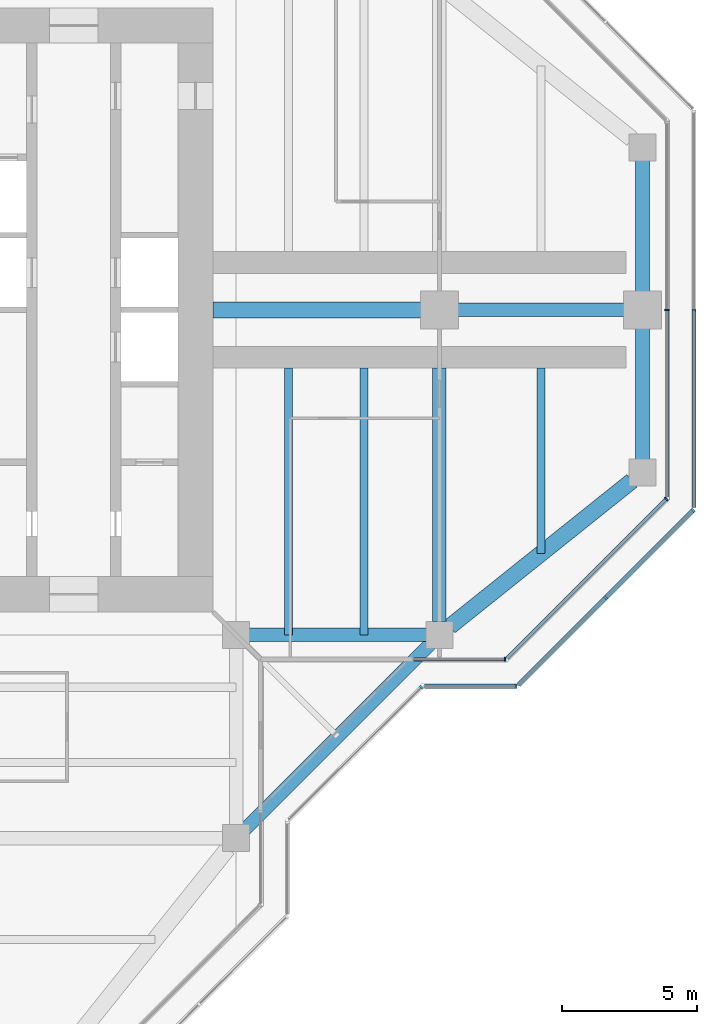
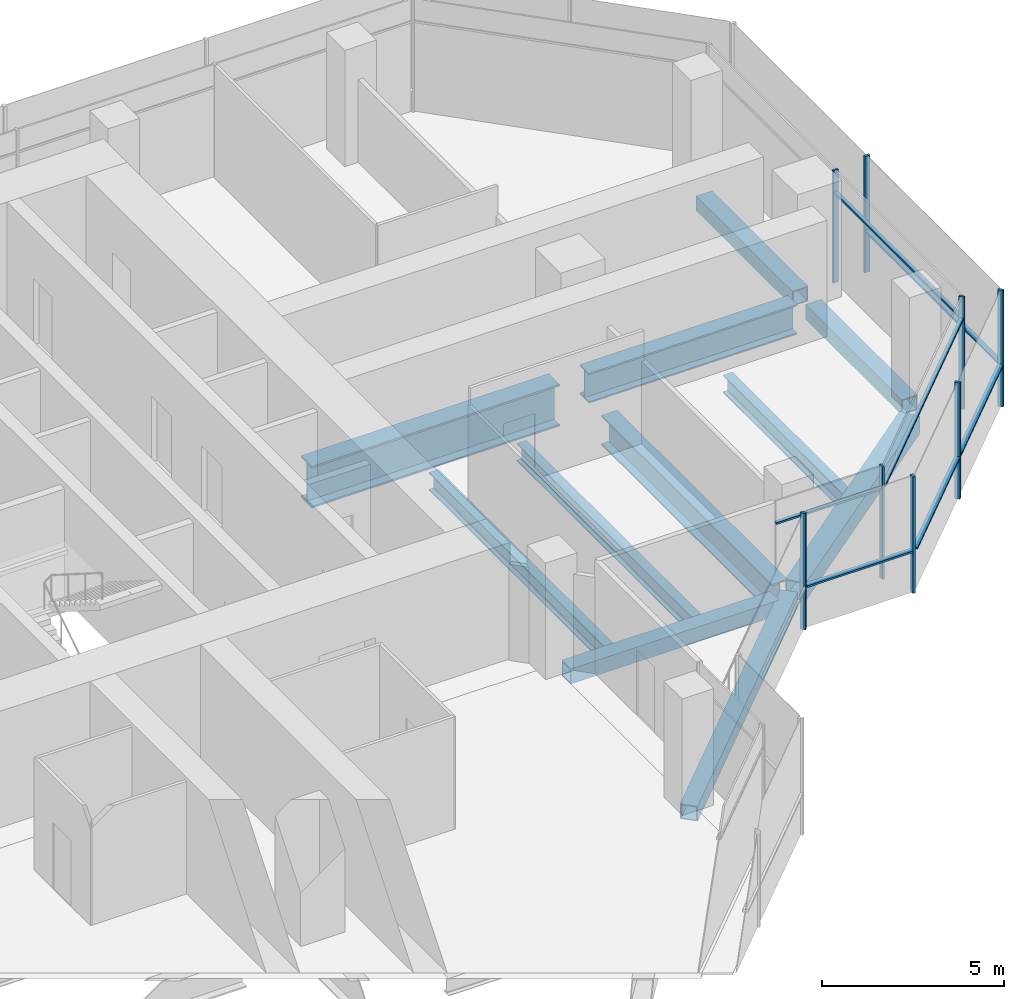
# One storey, part 5 of 15: 15 members, 11 beams, 7 elements without a shape of their own.
"""IFC4 building model written with IfcOpenShell, lengths in metres."""

from ifc_helpers import new_model, si_unit, direction, frame, origin, origin_2d, place, context, subcontext, project, spatial, rectangle, hollow_rectangle, i_section, extrude, material, material_profile, profile_set, type_object, element, aggregate, save


model = new_model("IFC4")

# Units and contexts
model_context = context("Model", 3, precision=1e-05, world=origin(), true_north=direction((0.0, 1.0)))
body_context = subcontext(model_context, "Body", "Model", "MODEL_VIEW")
ifc_project = project(units=[si_unit("LENGTHUNIT", "METRE"), si_unit("AREAUNIT", "SQUARE_METRE"), si_unit("VOLUMEUNIT", "CUBIC_METRE"), si_unit("PLANEANGLEUNIT", "RADIAN"), si_unit("MASSUNIT", "GRAM", prefix="KILO")], contexts=[model_context])

# Site, building, storey
site_placement = place(None, origin())
site = spatial("IfcSite", under=ifc_project, at=site_placement, CompositionType="ELEMENT")
building_placement = place(site_placement, origin())
building = spatial("IfcBuilding", under=site, at=building_placement, Name="Mizan Broadcast Tower", CompositionType="ELEMENT")
storey_placement = place(building_placement, frame((0.0, 0.0, 271.199951171875)))
storey = spatial("IfcBuildingStorey", under=building, at=storey_placement, Name="L64", CompositionType="ELEMENT", Elevation=271.199951171875)

# Beams
ifc_material_1 = material(Name="Steel S355", Category="steel")
ifc_material_profile_1 = material_profile(ifc_material_1, hollow_rectangle(XDim=0.5, YDim=0.5, WallThickness=0.030029296875, at=origin_2d()), Name="BOX 500x500x30")
ifc_profile_set_1 = profile_set([ifc_material_profile_1], Name="Steel S355")
beam_type_1 = type_object("IfcBeamType", Name="EDGE BEAM BOX 500x500x30", PredefinedType="SPANDREL", material=ifc_profile_set_1)
beam_1_placement = place(storey_placement, frame((12.449951171875, -12.0, -0.3798828125), z_axis=(1.0, 0.0, 0.0), x_axis=(0.0, 1.0, 0.0)))
element("IfcBeam", 1, at=beam_1_placement, inside=storey, type_object=beam_type_1, Name="Edge beam BOX 500x500x30 L64 east arm", PredefinedType="SPANDREL", context=body_context, shape_type="SweptSolid", body=[
    extrude(hollow_rectangle(XDim=0.5, YDim=0.5, WallThickness=0.030029296875, at=origin_2d()), origin(), (0.0, 0.0, 1.0), 6.60009765625),
])
for number, where, z_axis, x_axis, name in (
    (2, (27.0, -5.639892578125, -0.3798828125), (0.0, 1.0, 0.0), (-1.0, 0.0, 0.0), "Edge beam BOX 500x500x30 L64 east arm"),
    (3, (27.0, 5.639892578125, -0.3798828125), (0.0, -1.0, 0.0), (1.0, 0.0, 0.0), "Edge beam BOX 500x500x30 L64 east arm"),
):
    element("IfcBeam", number, at=place(storey_placement, frame(where, z_axis=z_axis, x_axis=x_axis)), inside=storey, type_object=beam_type_1, Name=name, PredefinedType="SPANDREL", context=body_context, shape_type="SweptSolid", body=[
        extrude(hollow_rectangle(XDim=0.5, YDim=0.5, WallThickness=0.030029296875, at=origin_2d()), origin(), (0.0, 0.0, 1.0), 5.27978515625),
    ])
beam_2_placement = place(storey_placement, frame((12.0, -19.5, -0.3798828125), z_axis=(0.707106781187, 0.707106781187, 0.0), x_axis=(-0.707106781187, 0.707106781187, 0.0)))
element("IfcBeam", 4, at=beam_2_placement, inside=storey, type_object=beam_type_1, Name="Winter garden edge beam L64 S", PredefinedType="SPANDREL", context=body_context, shape_type="SweptSolid", body=[
    extrude(hollow_rectangle(XDim=0.5, YDim=0.5, WallThickness=0.030029296875, at=origin_2d()), origin(), (0.0, 0.0, 1.0), 10.606689453125),
])
ifc_material_2 = material(Name="Steel S355", Category="steel")
ifc_material_profile_2 = material_profile(ifc_material_2, hollow_rectangle(XDim=0.60009765625, YDim=0.60009765625, WallThickness=0.030029296875, at=origin_2d()), Name="BOX 600x600x30")
ifc_profile_set_2 = profile_set([ifc_material_profile_2], Name="Steel S355")
beam_type_2 = type_object("IfcBeamType", Name="EDGE BEAM BOX 600x600x30", PredefinedType="SPANDREL", material=ifc_profile_set_2)
beam_3_placement = place(storey_placement, frame((19.890380859375, -11.687744140625, -0.429931640625), z_axis=(0.780863273348, 0.62470196761, 0.0), x_axis=(-0.62470196761, 0.780863273348, 0.0)))
element("IfcBeam", 5, at=beam_3_placement, inside=storey, type_object=beam_type_2, Name="Edge beam BOX 600x600x30 L64 east arm", PredefinedType="SPANDREL", context=body_context, shape_type="SweptSolid", body=[
    extrude(hollow_rectangle(XDim=0.60009765625, YDim=0.60009765625, WallThickness=0.030029296875, at=origin_2d()), origin(), (0.0, 0.0, 1.0), 8.60498046875),
])
ifc_material_3 = material(Name="Steel S460", Category="steel")
ifc_material_profile_3 = material_profile(ifc_material_3, i_section(OverallWidth=0.5, OverallDepth=1.0, WebThickness=0.02490234375, FlangeThickness=0.050048828125, at=origin_2d()), Name="WPG 1000x500")
ifc_profile_set_3 = profile_set([ifc_material_profile_3], Name="Steel S460")
beam_type_3 = type_object("IfcBeamType", Name="GIRDER WPG 1000x500", PredefinedType="BEAM", material=ifc_profile_set_3)
beam_4_placement = place(storey_placement, frame((19.949951171875, 0.0, -0.6298828125), z_axis=(1.0, 0.0, 0.0), x_axis=(0.0, 1.0, 0.0)))
element("IfcBeam", 6, at=beam_4_placement, inside=storey, type_object=beam_type_3, Name="Girder WPG 1000x500 L64 east arm", PredefinedType="BEAM", context=body_context, shape_type="SweptSolid", body=[
    extrude(i_section(OverallWidth=0.5, OverallDepth=1.0, WebThickness=0.02490234375, FlangeThickness=0.050048828125, at=origin_2d()), origin(), (0.0, 0.0, 1.0), 6.60009765625),
])
beam_5_placement = place(storey_placement, frame((19.5, -11.5, -0.6298828125), z_axis=(0.0, 1.0, 0.0), x_axis=(-1.0, 0.0, 0.0)))
element("IfcBeam", 7, at=beam_5_placement, inside=storey, type_object=beam_type_3, Name="Girder WPG 1000x500 L64 east arm", PredefinedType="BEAM", context=body_context, shape_type="SweptSolid", body=[
    extrude(i_section(OverallWidth=0.5, OverallDepth=1.0, WebThickness=0.02490234375, FlangeThickness=0.050048828125, at=origin_2d()), origin(), (0.0, 0.0, 1.0), 9.35009765625),
])
ifc_material_4 = material(Name="Steel S460", Category="steel")
ifc_material_profile_4 = material_profile(ifc_material_4, i_section(OverallWidth=0.60009765625, OverallDepth=1.39990234375, WebThickness=0.02490234375, FlangeThickness=0.06005859375, at=origin_2d()), Name="WPG 1400x600")
ifc_profile_set_4 = profile_set([ifc_material_profile_4], Name="Steel S460")
beam_type_4 = type_object("IfcBeamType", Name="GIRDER WPG 1400x600", PredefinedType="BEAM", material=ifc_profile_set_4)
beam_6_placement = place(storey_placement, frame((11.14990234375, 0.0, -0.829833984375), z_axis=(1.0, 0.0, 0.0), x_axis=(0.0, 1.0, 0.0)))
element("IfcBeam", 8, at=beam_6_placement, inside=storey, type_object=beam_type_4, Name="Girder WPG 1400x600 L64 east arm", PredefinedType="BEAM", context=body_context, shape_type="SweptSolid", body=[
    extrude(i_section(OverallWidth=0.60009765625, OverallDepth=1.39990234375, WebThickness=0.02490234375, FlangeThickness=0.06005859375, at=origin_2d()), origin(), (0.0, 0.0, 1.0), 7.84912109375),
])

# Curtain wall, member
ifc_material_5 = material(Name="Aluminium framed glazing", Category="aluminium")
curtain_wall_type_1 = type_object("IfcCurtainWallType", Name="INNER SKIN TOP ZONE", PredefinedType="USERDEFINED", material=ifc_material_5)
curtain_wall_1_placement = place(storey_placement, origin())
curtain_wall_1 = element("IfcCurtainWall", 9, at=curtain_wall_1_placement, inside=storey, type_object=curtain_wall_type_1, Name="Inner skin top zone L64 E side", ObjectType="INNER SKIN TOP ZONE", PredefinedType="USERDEFINED")
ifc_material_6 = material(Name="Aluminium, pale anodised", Category="aluminium")
ifc_material_profile_5 = material_profile(ifc_material_6, rectangle(XDim=0.159912109375, YDim=0.06005859375, at=origin_2d()), Name="MULLION 160x60")
ifc_profile_set_5 = profile_set([ifc_material_profile_5], Name="Aluminium, pale anodised")
member_type_1 = type_object("IfcMemberType", Name="INNER SKIN MULLION 60x160", PredefinedType="MULLION", material=ifc_profile_set_5)
member_1_placement = place(storey_placement, frame((21.928466796875, -12.89990234375, 0.0), z_axis=(0.0, 0.0, 1.0), x_axis=(0.0, 1.0, 0.0)))
member_1 = element("IfcMember", 10, at=member_1_placement, type_object=member_type_1, Name="Inner skin top zone L64 E side mullion 2", PredefinedType="MULLION", context=body_context, shape_type="SweptSolid", body=[
    extrude(rectangle(XDim=0.159912109375, YDim=0.06005859375, at=origin_2d()), origin(), (0.0, 0.0, 1.0), 3.77001953125),
])

curtain_wall_2_placement = place(storey_placement, origin())
curtain_wall_2 = element("IfcCurtainWall", 11, at=curtain_wall_2_placement, inside=storey, type_object=curtain_wall_type_1, Name="Inner skin top zone L64 E chamfer", ObjectType="INNER SKIN TOP ZONE", PredefinedType="USERDEFINED")
member_2_placement = place(storey_placement, frame((27.87890625, -6.979736328125, 0.0), z_axis=(0.0, 0.0, 1.0), x_axis=(-0.707106781187, 0.707106781187, 0.0)))
member_2 = element("IfcMember", 12, at=member_2_placement, type_object=member_type_1, Name="Inner skin top zone L64 E chamfer mullion 2", PredefinedType="MULLION", context=body_context, shape_type="SweptSolid", body=[
    extrude(rectangle(XDim=0.159912109375, YDim=0.06005859375, at=origin_2d()), origin(), (0.0, 0.0, 1.0), 3.77001953125),
])

curtain_wall_3_placement = place(storey_placement, origin())
curtain_wall_3 = element("IfcCurtainWall", 13, at=curtain_wall_3_placement, inside=storey, type_object=curtain_wall_type_1, Name="Inner skin top zone L64 E end", ObjectType="INNER SKIN TOP ZONE", PredefinedType="USERDEFINED")
member_3_placement = place(storey_placement, frame((27.89990234375, 0.0, 0.0), z_axis=(0.0, 0.0, 1.0), x_axis=(-1.0, 0.0, 0.0)))
member_3 = element("IfcMember", 14, at=member_3_placement, type_object=member_type_1, Name="Inner skin top zone L64 E end mullion 2", PredefinedType="MULLION", context=body_context, shape_type="SweptSolid", body=[
    extrude(rectangle(XDim=0.159912109375, YDim=0.06005859375, at=origin_2d()), origin(), (0.0, 0.0, 1.0), 3.77001953125),
])

# Member
ifc_material_7 = material(Name="Aluminium, pale anodised", Category="aluminium")
ifc_material_profile_6 = material_profile(ifc_material_7, rectangle(XDim=0.1201171875, YDim=0.06005859375, at=origin_2d()), Name="TRANSOM 120x60")
ifc_profile_set_6 = profile_set([ifc_material_profile_6], Name="Aluminium, pale anodised")
member_type_2 = type_object("IfcMemberType", Name="INNER SKIN TRANSOM 60x120", PredefinedType="USERDEFINED", material=ifc_profile_set_6)
member_4_placement = place(storey_placement, frame((18.56005859375, -12.89990234375, 3.030029296875), z_axis=(1.0, 0.0, 0.0), x_axis=(0.0, 1.0, 0.0)))
member_4 = element("IfcMember", 15, at=member_4_placement, type_object=member_type_2, Name="Inner skin top zone L64 E side transom 1.1", ObjectType="TRANSOM", PredefinedType="USERDEFINED", context=body_context, shape_type="SweptSolid", body=[
    extrude(rectangle(XDim=0.1201171875, YDim=0.06005859375, at=origin_2d()), origin(), (0.0, 0.0, 1.0), 3.338623046875),
])

aggregate(curtain_wall_1, [member_1, member_4])

member_5_placement = place(storey_placement, frame((22.0009765625, -12.857666015625, 3.030029296875), z_axis=(0.707106781187, 0.707106781187, 0.0), x_axis=(-0.707106781187, 0.707106781187, 0.0)))
member_5 = element("IfcMember", 16, at=member_5_placement, type_object=member_type_2, Name="Inner skin top zone L64 E chamfer transom 1.1", ObjectType="TRANSOM", PredefinedType="USERDEFINED", context=body_context, shape_type="SweptSolid", body=[
    extrude(rectangle(XDim=0.1201171875, YDim=0.06005859375, at=origin_2d()), origin(), (0.0, 0.0, 1.0), 8.28271484375),
])

aggregate(curtain_wall_2, [member_2, member_5])

member_6_placement = place(storey_placement, frame((27.89990234375, -6.898681640625, 3.030029296875), z_axis=(0.0, 1.0, 0.0), x_axis=(-1.0, 0.0, 0.0)))
member_6 = element("IfcMember", 17, at=member_6_placement, type_object=member_type_2, Name="Inner skin top zone L64 E end transom 1.1", ObjectType="TRANSOM", PredefinedType="USERDEFINED", context=body_context, shape_type="SweptSolid", body=[
    extrude(rectangle(XDim=0.1201171875, YDim=0.06005859375, at=origin_2d()), origin(), (0.0, 0.0, 1.0), 6.86865234375),
])

aggregate(curtain_wall_3, [member_3, member_6])

# Curtain wall, member
ifc_material_8 = material(Name="Aluminium framed glazing", Category="aluminium")
curtain_wall_type_2 = type_object("IfcCurtainWallType", Name="OUTER SKIN", PredefinedType="USERDEFINED", material=ifc_material_8)
curtain_wall_4_placement = place(storey_placement, origin())
curtain_wall_4 = element("IfcCurtainWall", 18, at=curtain_wall_4_placement, inside=storey, type_object=curtain_wall_type_2, Name="Outer skin L64 E chamfer", ObjectType="OUTER SKIN", PredefinedType="USERDEFINED")
ifc_material_9 = material(Name="Aluminium, pale anodised", Category="aluminium")
ifc_material_profile_7 = material_profile(ifc_material_9, rectangle(XDim=0.159912109375, YDim=0.080078125, at=origin_2d()), Name="MULLION 160x80")
ifc_profile_set_7 = profile_set([ifc_material_profile_7], Name="Aluminium, pale anodised")
member_type_3 = type_object("IfcMemberType", Name="OUTER SKIN MULLION 80x160", PredefinedType="MULLION", material=ifc_profile_set_7)
member_7_placement = place(storey_placement, frame((18.844482421875, -13.92822265625, 0.0), z_axis=(0.0, 0.0, 1.0), x_axis=(-0.707106781187, 0.707106781187, 0.0)))
member_7 = element("IfcMember", 19, at=member_7_placement, type_object=member_type_3, Name="Outer skin L64 E chamfer mullion 2", PredefinedType="MULLION", context=body_context, shape_type="SweptSolid", body=[
    extrude(rectangle(XDim=0.159912109375, YDim=0.080078125, at=origin_2d()), origin(), (0.0, 0.0, 1.0), 3.900146484375),
])
aggregate(curtain_wall_4, [member_7])

curtain_wall_5_placement = place(storey_placement, origin())
curtain_wall_5 = element("IfcCurtainWall", 20, at=curtain_wall_5_placement, inside=storey, type_object=curtain_wall_type_2, Name="Outer skin L64 E side", ObjectType="OUTER SKIN", PredefinedType="USERDEFINED")
member_8_placement = place(storey_placement, frame((22.332763671875, -13.89990234375, 0.0), z_axis=(0.0, 0.0, 1.0), x_axis=(0.0, 1.0, 0.0)))
member_8 = element("IfcMember", 21, at=member_8_placement, type_object=member_type_3, Name="Outer skin L64 E side mullion 2", PredefinedType="MULLION", context=body_context, shape_type="SweptSolid", body=[
    extrude(rectangle(XDim=0.159912109375, YDim=0.080078125, at=origin_2d()), origin(), (0.0, 0.0, 1.0), 3.900146484375),
])

# Curtain wall, members
curtain_wall_6_placement = place(storey_placement, origin())
curtain_wall_6 = element("IfcCurtainWall", 22, at=curtain_wall_6_placement, inside=storey, type_object=curtain_wall_type_2, Name="Outer skin L64 E chamfer", ObjectType="OUTER SKIN", PredefinedType="USERDEFINED")
member_9_placement = place(storey_placement, frame((25.636474609375, -10.636474609375, 0.0), z_axis=(0.0, 0.0, 1.0), x_axis=(-0.707106781187, 0.707106781187, 0.0)))
member_9 = element("IfcMember", 23, at=member_9_placement, type_object=member_type_3, Name="Outer skin L64 E chamfer mullion 2", PredefinedType="MULLION", context=body_context, shape_type="SweptSolid", body=[
    extrude(rectangle(XDim=0.159912109375, YDim=0.080078125, at=origin_2d()), origin(), (0.0, 0.0, 1.0), 3.900146484375),
])
member_10_placement = place(storey_placement, frame((28.871826171875, -7.401123046875, 0.0), z_axis=(0.0, 0.0, 1.0), x_axis=(-0.707106781187, 0.707106781187, 0.0)))
member_10 = element("IfcMember", 24, at=member_10_placement, type_object=member_type_3, Name="Outer skin L64 E chamfer mullion 3", PredefinedType="MULLION", context=body_context, shape_type="SweptSolid", body=[
    extrude(rectangle(XDim=0.159912109375, YDim=0.080078125, at=origin_2d()), origin(), (0.0, 0.0, 1.0), 3.900146484375),
])

# Curtain wall, member
curtain_wall_7_placement = place(storey_placement, origin())
curtain_wall_7 = element("IfcCurtainWall", 25, at=curtain_wall_7_placement, inside=storey, type_object=curtain_wall_type_2, Name="Outer skin L64 E end", ObjectType="OUTER SKIN", PredefinedType="USERDEFINED")
member_11_placement = place(storey_placement, frame((28.89990234375, 0.0, 0.0), z_axis=(0.0, 0.0, 1.0), x_axis=(-1.0, 0.0, 0.0)))
member_11 = element("IfcMember", 26, at=member_11_placement, type_object=member_type_3, Name="Outer skin L64 E end mullion 2", PredefinedType="MULLION", context=body_context, shape_type="SweptSolid", body=[
    extrude(rectangle(XDim=0.159912109375, YDim=0.080078125, at=origin_2d()), origin(), (0.0, 0.0, 1.0), 3.900146484375),
])

# Member
ifc_material_10 = material(Name="Aluminium, pale anodised", Category="aluminium")
ifc_material_profile_8 = material_profile(ifc_material_10, rectangle(XDim=0.159912109375, YDim=0.06005859375, at=origin_2d()), Name="TRANSOM 160x60")
ifc_profile_set_8 = profile_set([ifc_material_profile_8], Name="Aluminium, pale anodised")
member_type_4 = type_object("IfcMemberType", Name="OUTER SKIN TRANSOM 60x160", PredefinedType="USERDEFINED", material=ifc_profile_set_8)
member_12_placement = place(storey_placement, frame((18.952880859375, -13.89990234375, 1.400146484375), z_axis=(1.0, 0.0, 0.0), x_axis=(0.0, 1.0, 0.0)))
member_12 = element("IfcMember", 27, at=member_12_placement, type_object=member_type_4, Name="Outer skin L64 E side transom 1.1", ObjectType="TRANSOM", PredefinedType="USERDEFINED", context=body_context, shape_type="SweptSolid", body=[
    extrude(rectangle(XDim=0.159912109375, YDim=0.06005859375, at=origin_2d()), origin(), (0.0, 0.0, 1.0), 3.33984375),
])

aggregate(curtain_wall_5, [member_8, member_12])

member_13_placement = place(storey_placement, frame((22.429443359375, -13.843505859375, 1.400146484375), z_axis=(0.707106781187, 0.707106781187, 0.0), x_axis=(-0.707106781187, 0.707106781187, 0.0)))
member_13 = element("IfcMember", 28, at=member_13_placement, type_object=member_type_4, Name="Outer skin L64 E chamfer transom 1.1", ObjectType="TRANSOM", PredefinedType="USERDEFINED", context=body_context, shape_type="SweptSolid", body=[
    extrude(rectangle(XDim=0.159912109375, YDim=0.06005859375, at=origin_2d()), origin(), (0.0, 0.0, 1.0), 4.495361328125),
])

member_14_placement = place(storey_placement, frame((25.664794921875, -10.608154296875, 1.400146484375), z_axis=(0.707106781187, 0.707106781187, 0.0), x_axis=(-0.707106781187, 0.707106781187, 0.0)))
member_14 = element("IfcMember", 29, at=member_14_placement, type_object=member_type_4, Name="Outer skin L64 E chamfer transom 2.1", ObjectType="TRANSOM", PredefinedType="USERDEFINED", context=body_context, shape_type="SweptSolid", body=[
    extrude(rectangle(XDim=0.159912109375, YDim=0.06005859375, at=origin_2d()), origin(), (0.0, 0.0, 1.0), 4.495361328125),
])

aggregate(curtain_wall_6, [member_9, member_10, member_13, member_14])

member_15_placement = place(storey_placement, frame((28.89990234375, -7.292724609375, 1.400146484375), z_axis=(0.0, 1.0, 0.0), x_axis=(-1.0, 0.0, 0.0)))
member_15 = element("IfcMember", 30, at=member_15_placement, type_object=member_type_4, Name="Outer skin L64 E end transom 1.1", ObjectType="TRANSOM", PredefinedType="USERDEFINED", context=body_context, shape_type="SweptSolid", body=[
    extrude(rectangle(XDim=0.159912109375, YDim=0.06005859375, at=origin_2d()), origin(), (0.0, 0.0, 1.0), 7.252685546875),
])

aggregate(curtain_wall_7, [member_11, member_15])

# Beams
ifc_material_11 = material(Name="Steel S355", Category="steel")
ifc_material_profile_9 = material_profile(ifc_material_11, i_section(OverallWidth=0.300048828125, OverallDepth=0.590087890625, WebThickness=0.012939453125, FlangeThickness=0.02490234375, FilletRadius=0.027099609375, at=origin_2d()), Name="HEA 600")
ifc_profile_set_9 = profile_set([ifc_material_profile_9], Name="Steel S355")
beam_type_5 = type_object("IfcBeamType", Name="SECONDARY BEAM HEA 600", PredefinedType="JOIST", material=ifc_profile_set_9)
for number, where, z_axis, x_axis, name in (
    (31, (13.933349609375, -12.0, -0.425048828125), (0.0, 1.0, 0.0), (-1.0, 0.0, 0.0), "Secondary beam HEA 600 L64 east arm"),
    (32, (16.716552734375, -12.0, -0.425048828125), (0.0, 1.0, 0.0), (-1.0, 0.0, 0.0), "Secondary beam HEA 600 L64 east arm"),
):
    element("IfcBeam", number, at=place(storey_placement, frame(where, z_axis=z_axis, x_axis=x_axis)), inside=storey, type_object=beam_type_5, Name=name, PredefinedType="JOIST", context=body_context, shape_type="SweptSolid", body=[
        extrude(i_section(OverallWidth=0.300048828125, OverallDepth=0.590087890625, WebThickness=0.012939453125, FlangeThickness=0.02490234375, FilletRadius=0.027099609375, at=origin_2d()), origin(), (0.0, 0.0, 1.0), 9.85009765625),
    ])
beam_7_placement = place(storey_placement, frame((23.25, -9.0, -0.425048828125), z_axis=(0.0, 1.0, 0.0), x_axis=(-1.0, 0.0, 0.0)))
element("IfcBeam", 33, at=beam_7_placement, inside=storey, type_object=beam_type_5, Name="Secondary beam HEA 600 L64 east arm", PredefinedType="JOIST", context=body_context, shape_type="SweptSolid", body=[
    extrude(i_section(OverallWidth=0.300048828125, OverallDepth=0.590087890625, WebThickness=0.012939453125, FlangeThickness=0.02490234375, FilletRadius=0.027099609375, at=origin_2d()), origin(), (0.0, 0.0, 1.0), 6.85009765625),
])

save(model, "model.ifc")
